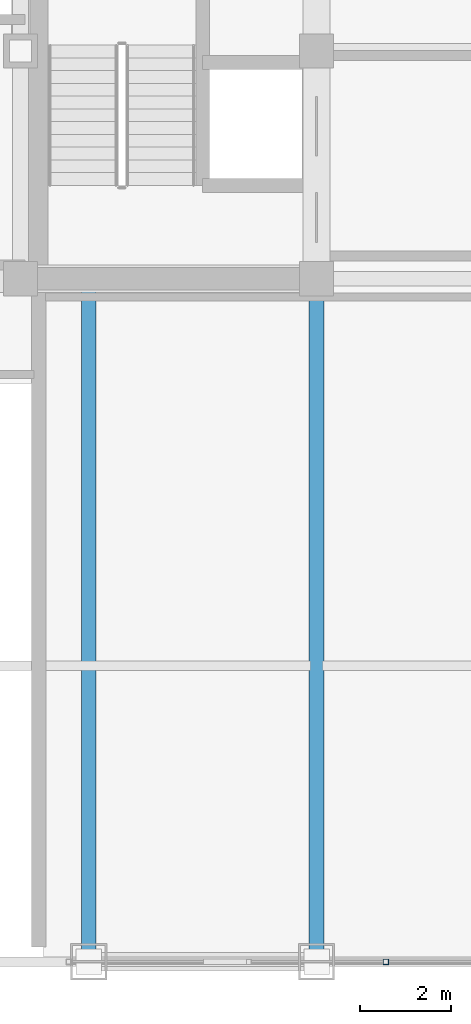
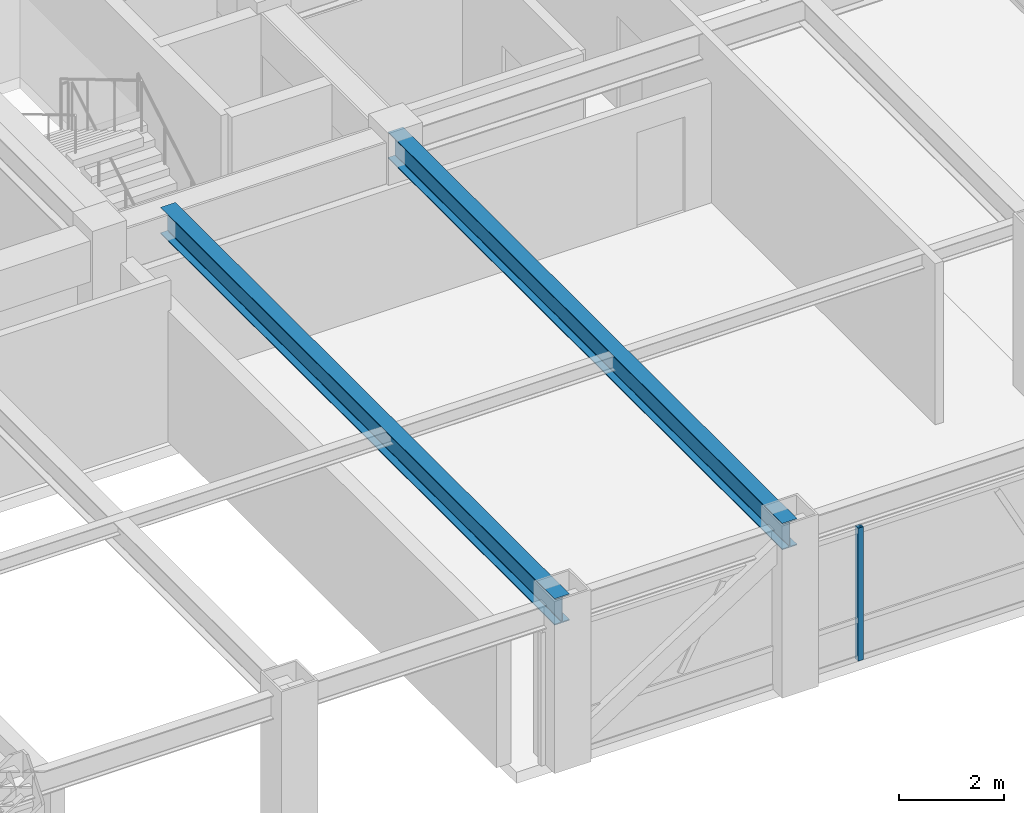
# One storey, part 9 of 29: 2 beams, 1 member, 1 element without a shape of its own.
"""IFC4 building model written with IfcOpenShell, lengths in metres."""

from ifc_helpers import new_model, si_unit, direction, frame, origin, origin_2d, place, context, subcontext, project, spatial, hollow_rectangle, i_section, extrude, source, transform, mapped, material, material_profile, profile_set, type_object, element, aggregate, save


model = new_model("IFC4")

# Units and contexts
model_context = context("Model", 3, precision=1e-05, world=origin(), true_north=direction((0.0, 1.0)))
body_context = subcontext(model_context, "Body", "Model", "MODEL_VIEW")
ifc_project = project(units=[si_unit("LENGTHUNIT", "METRE"), si_unit("AREAUNIT", "SQUARE_METRE"), si_unit("VOLUMEUNIT", "CUBIC_METRE"), si_unit("PLANEANGLEUNIT", "RADIAN"), si_unit("MASSUNIT", "GRAM", prefix="KILO")], contexts=[model_context])

# Site, building, storey
site_placement = place(None, origin())
site = spatial("IfcSite", under=ifc_project, at=site_placement, CompositionType="ELEMENT")
building_placement = place(site_placement, origin())
building = spatial("IfcBuilding", under=site, at=building_placement, Name="Khorayat Bourse Tower", CompositionType="ELEMENT")
storey_placement = place(building_placement, frame((0.0, 0.0, 354.300048828125)))
storey = spatial("IfcBuildingStorey", under=building, at=storey_placement, Name="L84", CompositionType="ELEMENT", Elevation=354.300048828125)

# Beams
ifc_material_1 = material(Name="Steel ASTM A992 Grade 50", Category="steel")
ifc_material_profile_1 = material_profile(ifc_material_1, i_section(OverallWidth=0.324951171875, OverallDepth=0.615966796875, WebThickness=0.013916015625, FlangeThickness=0.021484375, FilletRadius=0.01611328125, at=origin_2d()), Name="W610X174")
ifc_profile_set_1 = profile_set([ifc_material_profile_1], Name="Steel ASTM A992 Grade 50")
beam_type = type_object("IfcBeamType", Name="BM-GIRD-610", PredefinedType="BEAM", material=ifc_profile_set_1)
shared_shape_1 = source(origin(), body_context, "Body", "SweptSolid", [
    extrude(i_section(OverallWidth=0.324951171875, OverallDepth=0.615966796875, WebThickness=0.013916015625, FlangeThickness=0.021484375, FilletRadius=0.01611328125, at=origin_2d()), origin(), (0.0, 0.0, 1.0), 15.0),
])
for number, where, z_axis, x_axis, name in (
    (1, (6.0, -26.0, 3.431884765625), (0.0, 1.0, 0.0), (-1.0, 0.0, 0.0), "L84 BM-GIRD-610 BM-L84-RADY-063"),
    (2, (11.0, -26.0, 3.431884765625), (0.0, 1.0, 0.0), (-1.0, 0.0, 0.0), "L84 BM-GIRD-610 BM-L84-RADY-065"),
):
    element("IfcBeam", number, at=place(storey_placement, frame(where, z_axis=z_axis, x_axis=x_axis)), inside=storey, type_object=beam_type, Name=name, PredefinedType="BEAM", context=body_context, shape_type="MappedRepresentation", body=[
        mapped(shared_shape_1, transform((0.0, 0.0, 0.0), scale=1.0)),
    ])

# Curtain wall, member
ifc_material_2 = material(Name="Aluminium EN AW-6063 T6", Category="aluminium")
curtain_wall_type = type_object("IfcCurtainWallType", Name="CW-SYS-06", PredefinedType="NOTDEFINED", material=ifc_material_2)
curtain_wall_placement = place(storey_placement, origin())
curtain_wall = element("IfcCurtainWall", 3, at=curtain_wall_placement, inside=storey, type_object=curtain_wall_type, Name="L84 Curtain Wall CW-L84-S2", PredefinedType="NOTDEFINED")
ifc_material_profile_2 = material_profile(ifc_material_2, hollow_rectangle(XDim=0.1201171875, YDim=0.1201171875, WallThickness=0.0048828125, at=origin_2d()), Name="ALU 120x120x5")
ifc_profile_set_2 = profile_set([ifc_material_profile_2], Name="Aluminium EN AW-6063 T6")
member_type = type_object("IfcMemberType", Name="CWM-VERT-120", PredefinedType="MULLION", material=ifc_profile_set_2)
shared_shape_2 = source(origin(), body_context, "Body", "SweptSolid", [
    extrude(hollow_rectangle(XDim=0.1201171875, YDim=0.1201171875, WallThickness=0.0048828125, at=origin_2d()), origin(), (0.0, 0.0, 1.0), 3.08984375),
])
member_placement = place(storey_placement, frame((12.52490234375, -26.0, 0.0), z_axis=(0.0, 0.0, 1.0), x_axis=(0.0, 1.0, 0.0)))
member = element("IfcMember", 4, at=member_placement, type_object=member_type, Name="CW-L84-S2 Vertical Mullion 2", PredefinedType="MULLION", context=body_context, shape_type="MappedRepresentation", body=[
    mapped(shared_shape_2, transform((0.0, 0.0, 0.0), scale=1.0)),
])
aggregate(curtain_wall, [member])

save(model, "model.ifc")
